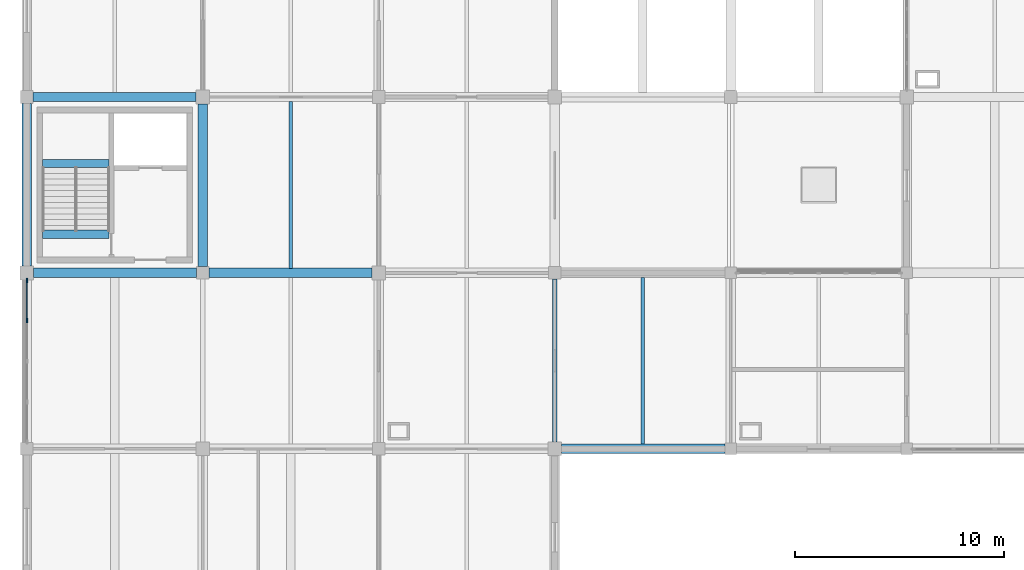
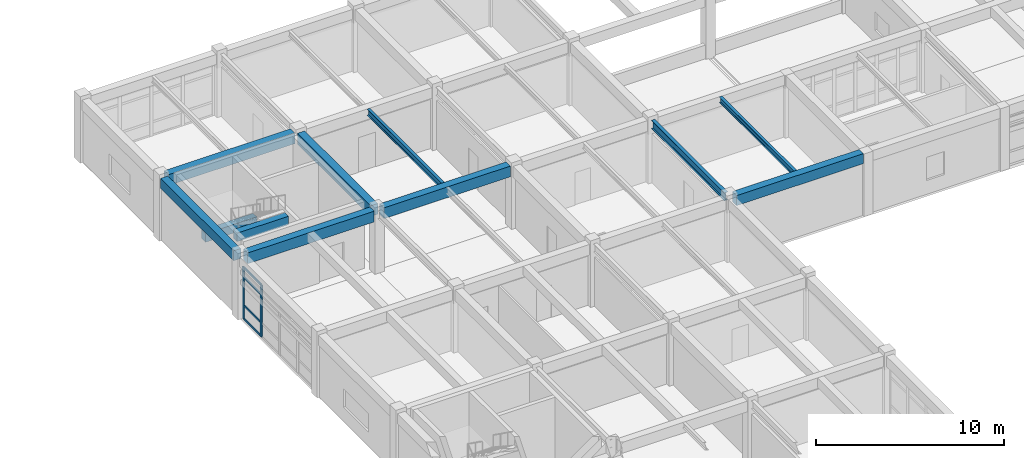
# One storey, part 12 of 74: 11 beams, 6 members, 1 element without a shape of its own.
"""IFC4 building model written with IfcOpenShell, lengths in metres."""

from ifc_helpers import new_model, si_unit, direction, frame, origin, origin_2d, place, context, subcontext, project, spatial, rectangle, i_section, extrude, material, layer, layer_set, material_profile, profile_set, type_object, element, aggregate, save


model = new_model("IFC4")

# Units and contexts
model_context = context("Model", 3, precision=1e-05, world=origin(), true_north=direction((0.0, 1.0)))
body_context = subcontext(model_context, "Body", "Model", "MODEL_VIEW")
ifc_project = project(units=[si_unit("LENGTHUNIT", "METRE"), si_unit("AREAUNIT", "SQUARE_METRE"), si_unit("VOLUMEUNIT", "CUBIC_METRE"), si_unit("PLANEANGLEUNIT", "RADIAN"), si_unit("MASSUNIT", "GRAM", prefix="KILO")], contexts=[model_context])

# Site, building, storey
site_placement = place(None, origin())
site = spatial("IfcSite", under=ifc_project, at=site_placement, CompositionType="ELEMENT")
building_placement = place(site_placement, origin())
building = spatial("IfcBuilding", under=site, at=building_placement, Name="Porcellanite Civic Hall", CompositionType="ELEMENT")
storey_placement = place(building_placement, frame((0.0, 0.0, 14.760009765625)))
storey = spatial("IfcBuildingStorey", under=building, at=storey_placement, Name="L03", CompositionType="ELEMENT", Elevation=14.760009765625)

# Beams
ifc_material_1 = material(Name="Concrete N50 (50 MPa)", Category="concrete")
ifc_material_profile_1 = material_profile(ifc_material_1, rectangle(XDim=0.39990234375, YDim=0.550048828125, at=origin_2d()), Name="RC-400x550")
ifc_profile_set_1 = profile_set([ifc_material_profile_1], Name="Concrete N50 (50 MPa)")
beam_type_1 = type_object("IfcBeamType", Name="BM-RC550", PredefinedType="JOIST", material=ifc_profile_set_1)
for number, where, z_axis, x_axis, name in (
    (1, (9.160400390625, 64.02490234375, 1.705078125), (1.0, 0.0, 0.0), (0.0, 1.0, 0.0), "Stair landing beam C2 L03"),
    (2, (9.160400390625, 60.64990234375, 3.794921875), (1.0, 0.0, 0.0), (0.0, 1.0, 0.0), "Stair header beam C2 L03"),
):
    element("IfcBeam", number, at=place(storey_placement, frame(where, z_axis=z_axis, x_axis=x_axis)), inside=storey, type_object=beam_type_1, Name=name, PredefinedType="JOIST", context=body_context, shape_type="SweptSolid", body=[
        extrude(rectangle(XDim=0.39990234375, YDim=0.550048828125, at=origin_2d()), origin(), (0.0, 0.0, 1.0), 3.1591796875),
    ])
ifc_material_2 = material(Name="Concrete N50 (50 MPa)", Category="concrete")
ifc_material_profile_2 = material_profile(ifc_material_2, rectangle(XDim=0.449951171875, YDim=0.64990234375, at=origin_2d()), Name="RC-450x650")
ifc_profile_set_2 = profile_set([ifc_material_profile_2], Name="Concrete N50 (50 MPa)")
beam_type_2 = type_object("IfcBeamType", Name="BM-RC650", PredefinedType="SPANDREL", material=ifc_profile_set_2)
beam_1_placement = place(storey_placement, frame((33.924560546875, 50.39990234375, 3.744873046875), z_axis=(1.0, 0.0, 0.0), x_axis=(0.0, 1.0, 0.0)))
element("IfcBeam", 3, at=beam_1_placement, inside=storey, type_object=beam_type_2, Name="Beam X L03 5-7", PredefinedType="SPANDREL", context=body_context, shape_type="SweptSolid", body=[
    extrude(rectangle(XDim=0.449951171875, YDim=0.64990234375, at=origin_2d()), origin(), (0.0, 0.0, 1.0), 7.801025390625),
])
beam_2_placement = place(storey_placement, frame((8.39990234375, 59.12451171875, 3.744873046875), z_axis=(0.0, 1.0, 0.0), x_axis=(-1.0, 0.0, 0.0)))
element("IfcBeam", 4, at=beam_2_placement, inside=storey, type_object=beam_type_2, Name="Beam Y L03 2-8", PredefinedType="SPANDREL", context=body_context, shape_type="SweptSolid", body=[
    extrude(rectangle(XDim=0.449951171875, YDim=0.64990234375, at=origin_2d()), origin(), (0.0, 0.0, 1.0), 7.77587890625),
])
ifc_material_3 = material(Name="Concrete N50 (50 MPa)", Category="concrete")
ifc_material_profile_3 = material_profile(ifc_material_3, rectangle(XDim=0.449951171875, YDim=0.699951171875, at=origin_2d()), Name="RC-450x700")
ifc_profile_set_3 = profile_set([ifc_material_profile_3], Name="Concrete N50 (50 MPa)")
beam_type_3 = type_object("IfcBeamType", Name="BM-RC700", PredefinedType="BEAM", material=ifc_profile_set_3)
beam_3_placement = place(storey_placement, frame((8.724609375, 58.800048828125, 3.719970703125), z_axis=(1.0, 0.0, 0.0), x_axis=(0.0, 1.0, 0.0)))
element("IfcBeam", 5, at=beam_3_placement, inside=storey, type_object=beam_type_3, Name="Beam X L03 2-8", PredefinedType="BEAM", context=body_context, shape_type="SweptSolid", body=[
    extrude(rectangle(XDim=0.449951171875, YDim=0.699951171875, at=origin_2d()), origin(), (0.0, 0.0, 1.0), 7.77587890625),
])
beam_4_placement = place(storey_placement, frame((8.699462890625, 67.199951171875, 3.719970703125), z_axis=(1.0, 0.0, 0.0), x_axis=(0.0, 1.0, 0.0)))
element("IfcBeam", 6, at=beam_4_placement, inside=storey, type_object=beam_type_3, Name="Beam X L03 2-9", PredefinedType="BEAM", context=body_context, shape_type="SweptSolid", body=[
    extrude(rectangle(XDim=0.449951171875, YDim=0.699951171875, at=origin_2d()), origin(), (0.0, 0.0, 1.0), 7.776123046875),
])
for number, where, z_axis, x_axis, name in (
    (7, (17.099609375, 58.800048828125, 3.719970703125), (1.0, 0.0, 0.0), (0.0, 1.0, 0.0), "Beam X L03 3-8"),
    (8, (16.800048828125, 59.099609375, 3.719970703125), (0.0, 1.0, 0.0), (-1.0, 0.0, 0.0), "Beam Y L03 3-8"),
):
    element("IfcBeam", number, at=place(storey_placement, frame(where, z_axis=z_axis, x_axis=x_axis)), inside=storey, type_object=beam_type_3, Name=name, PredefinedType="BEAM", context=body_context, shape_type="SweptSolid", body=[
        extrude(rectangle(XDim=0.449951171875, YDim=0.699951171875, at=origin_2d()), origin(), (0.0, 0.0, 1.0), 7.77587890625),
    ])

# Curtain wall, members
ifc_material_4 = material(Name="Anodised aluminium and solar laminated glass", Category="aluminium")
ifc_layer = layer(ifc_material_4, 0.179931640625)
ifc_layer_set = layer_set([ifc_layer], Name="Anodised aluminium and solar laminated glass")
curtain_wall_type = type_object("IfcCurtainWallType", Name="CW-SYS05", PredefinedType="NOTDEFINED", material=ifc_layer_set)
curtain_wall_placement = place(storey_placement, origin())
curtain_wall = element("IfcCurtainWall", 9, at=curtain_wall_placement, inside=storey, type_object=curtain_wall_type, Name="Curtain wall CW-184", PredefinedType="NOTDEFINED")
ifc_material_5 = material(Name="Anodised aluminium 6063-T6", Category="aluminium")
ifc_material_profile_4 = material_profile(ifc_material_5, rectangle(XDim=0.070068359375, YDim=0.199951171875, at=origin_2d()), Name="AL-70x200")
ifc_profile_set_4 = profile_set([ifc_material_profile_4], Name="Anodised aluminium 6063-T6")
member_type_1 = type_object("IfcMemberType", Name="CWM-05", PredefinedType="MULLION", material=ifc_profile_set_4)
member_1_placement = place(storey_placement, frame((8.39990234375, 56.53076171875, 0.0), z_axis=(0.0, 0.0, 1.0), x_axis=(-1.0, 0.0, 0.0)))
member_1 = element("IfcMember", 10, at=member_1_placement, type_object=member_type_1, Name="CW-184 mullion 4", PredefinedType="MULLION", context=body_context, shape_type="SweptSolid", body=[
    extrude(rectangle(XDim=0.070068359375, YDim=0.199951171875, at=origin_2d()), origin(), (0.0, 0.0, 1.0), 3.369873046875),
])
member_2_placement = place(storey_placement, frame((8.39990234375, 58.43896484375, 0.0), z_axis=(0.0, 0.0, 1.0), x_axis=(-1.0, 0.0, 0.0)))
member_2 = element("IfcMember", 11, at=member_2_placement, type_object=member_type_1, Name="CW-184 mullion 5", PredefinedType="MULLION", context=body_context, shape_type="SweptSolid", body=[
    extrude(rectangle(XDim=0.070068359375, YDim=0.199951171875, at=origin_2d()), origin(), (0.0, 0.0, 1.0), 3.369873046875),
])
ifc_material_6 = material(Name="Anodised aluminium 6063-T6", Category="aluminium")
ifc_material_profile_5 = material_profile(ifc_material_6, rectangle(XDim=0.06005859375, YDim=0.1298828125, at=origin_2d()), Name="AL-60x130")
ifc_profile_set_5 = profile_set([ifc_material_profile_5], Name="Anodised aluminium 6063-T6")
member_type_2 = type_object("IfcMemberType", Name="CWT-03", PredefinedType="USERDEFINED", material=ifc_profile_set_5)
member_3_placement = place(storey_placement, frame((8.39990234375, 56.565673828125, 0.030029296875), z_axis=(0.0, 1.0, 0.0), x_axis=(-1.0, 0.0, 0.0)))
member_3 = element("IfcMember", 12, at=member_3_placement, type_object=member_type_2, Name="CW-184 transom 4.1", ObjectType="TRANSOM", PredefinedType="USERDEFINED", context=body_context, shape_type="SweptSolid", body=[
    extrude(rectangle(XDim=0.06005859375, YDim=0.1298828125, at=origin_2d()), origin(), (0.0, 0.0, 1.0), 1.83837890625),
])
member_4_placement = place(storey_placement, frame((8.39990234375, 56.565673828125, 0.89990234375), z_axis=(0.0, 1.0, 0.0), x_axis=(-1.0, 0.0, 0.0)))
member_4 = element("IfcMember", 13, at=member_4_placement, type_object=member_type_2, Name="CW-184 transom 4.2", ObjectType="TRANSOM", PredefinedType="USERDEFINED", context=body_context, shape_type="SweptSolid", body=[
    extrude(rectangle(XDim=0.06005859375, YDim=0.1298828125, at=origin_2d()), origin(), (0.0, 0.0, 1.0), 1.83837890625),
])
member_5_placement = place(storey_placement, frame((8.39990234375, 56.565673828125, 2.719970703125), z_axis=(0.0, 1.0, 0.0), x_axis=(-1.0, 0.0, 0.0)))
member_5 = element("IfcMember", 14, at=member_5_placement, type_object=member_type_2, Name="CW-184 transom 4.3", ObjectType="TRANSOM", PredefinedType="USERDEFINED", context=body_context, shape_type="SweptSolid", body=[
    extrude(rectangle(XDim=0.06005859375, YDim=0.1298828125, at=origin_2d()), origin(), (0.0, 0.0, 1.0), 1.83837890625),
])
member_6_placement = place(storey_placement, frame((8.39990234375, 56.565673828125, 3.340087890625), z_axis=(0.0, 1.0, 0.0), x_axis=(-1.0, 0.0, 0.0)))
member_6 = element("IfcMember", 15, at=member_6_placement, type_object=member_type_2, Name="CW-184 transom 4.4", ObjectType="TRANSOM", PredefinedType="USERDEFINED", context=body_context, shape_type="SweptSolid", body=[
    extrude(rectangle(XDim=0.06005859375, YDim=0.1298828125, at=origin_2d()), origin(), (0.0, 0.0, 1.0), 1.83837890625),
])
aggregate(curtain_wall, [member_1, member_2, member_3, member_4, member_5, member_6])

# Beams
ifc_material_7 = material(Name="Steel Grade 350", Category="steel")
ifc_material_profile_6 = material_profile(ifc_material_7, i_section(OverallWidth=0.172119140625, OverallDepth=0.35888671875, WebThickness=0.008056640625, FlangeThickness=0.012939453125, FilletRadius=0.011474609375, at=origin_2d()), Name="360UB56.7")
ifc_profile_set_6 = profile_set([ifc_material_profile_6], Name="Steel Grade 350")
beam_type_4 = type_object("IfcBeamType", Name="JST-360UB57", PredefinedType="JOIST", material=ifc_profile_set_6)
beam_5_placement = place(storey_placement, frame((37.800048828125, 50.62451171875, 3.890380859375), z_axis=(0.0, 1.0, 0.0), x_axis=(-1.0, 0.0, 0.0)))
element("IfcBeam", 16, at=beam_5_placement, inside=storey, type_object=beam_type_4, Name="Secondary joist L03 5-7", PredefinedType="JOIST", context=body_context, shape_type="SweptSolid", body=[
    extrude(i_section(OverallWidth=0.172119140625, OverallDepth=0.35888671875, WebThickness=0.008056640625, FlangeThickness=0.012939453125, FilletRadius=0.011474609375, at=origin_2d()), origin(), (0.0, 0.0, 1.0), 7.950927734375),
])
ifc_material_8 = material(Name="Steel Grade 350", Category="steel")
ifc_material_profile_7 = material_profile(ifc_material_8, i_section(OverallWidth=0.177978515625, OverallDepth=0.403076171875, WebThickness=0.007568359375, FlangeThickness=0.010986328125, FilletRadius=0.011474609375, at=origin_2d()), Name="410UB53.7")
ifc_profile_set_7 = profile_set([ifc_material_profile_7], Name="Steel Grade 350")
beam_type_5 = type_object("IfcBeamType", Name="JST-410UB54", PredefinedType="JOIST", material=ifc_profile_set_7)
beam_6_placement = place(storey_placement, frame((21.0, 59.0244140625, 3.868408203125), z_axis=(0.0, 1.0, 0.0), x_axis=(-1.0, 0.0, 0.0)))
element("IfcBeam", 17, at=beam_6_placement, inside=storey, type_object=beam_type_5, Name="Secondary joist L03 3-8", PredefinedType="JOIST", context=body_context, shape_type="SweptSolid", body=[
    extrude(i_section(OverallWidth=0.177978515625, OverallDepth=0.403076171875, WebThickness=0.007568359375, FlangeThickness=0.010986328125, FilletRadius=0.011474609375, at=origin_2d()), origin(), (0.0, 0.0, 1.0), 7.951171875),
])
ifc_material_9 = material(Name="Steel Grade 350", Category="steel")
ifc_material_profile_8 = material_profile(ifc_material_9, i_section(OverallWidth=0.208984375, OverallDepth=0.528076171875, WebThickness=0.009521484375, FlangeThickness=0.01318359375, FilletRadius=0.013916015625, at=origin_2d()), Name="530UB82.0")
ifc_profile_set_8 = profile_set([ifc_material_profile_8], Name="Steel Grade 350")
beam_type_6 = type_object("IfcBeamType", Name="RAF-530UB82", PredefinedType="BEAM", material=ifc_profile_set_8)
beam_7_placement = place(storey_placement, frame((33.60009765625, 50.724609375, 3.805908203125), z_axis=(0.0, 1.0, 0.0), x_axis=(-1.0, 0.0, 0.0)))
element("IfcBeam", 18, at=beam_7_placement, inside=storey, type_object=beam_type_6, Name="Beam Y L03 5-7", PredefinedType="BEAM", context=body_context, shape_type="SweptSolid", body=[
    extrude(i_section(OverallWidth=0.208984375, OverallDepth=0.528076171875, WebThickness=0.009521484375, FlangeThickness=0.01318359375, FilletRadius=0.013916015625, at=origin_2d()), origin(), (0.0, 0.0, 1.0), 7.77587890625),
])

save(model, "model.ifc")
